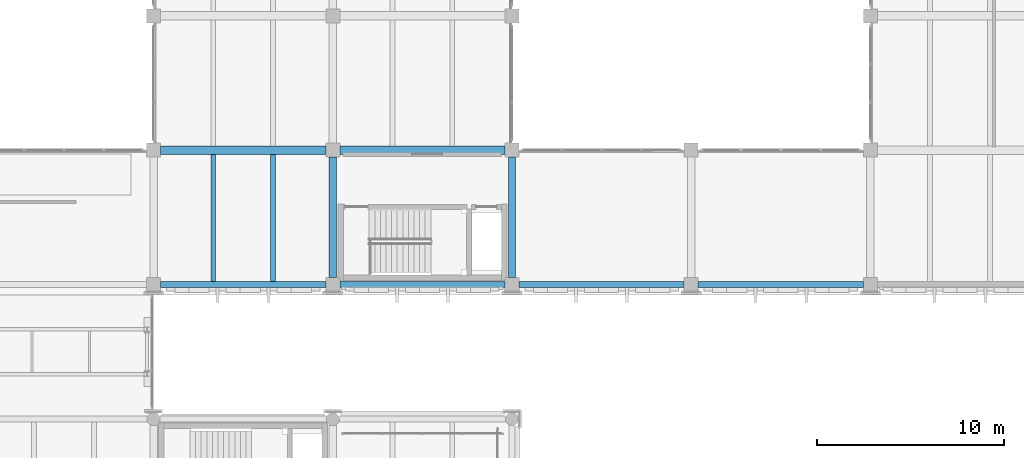
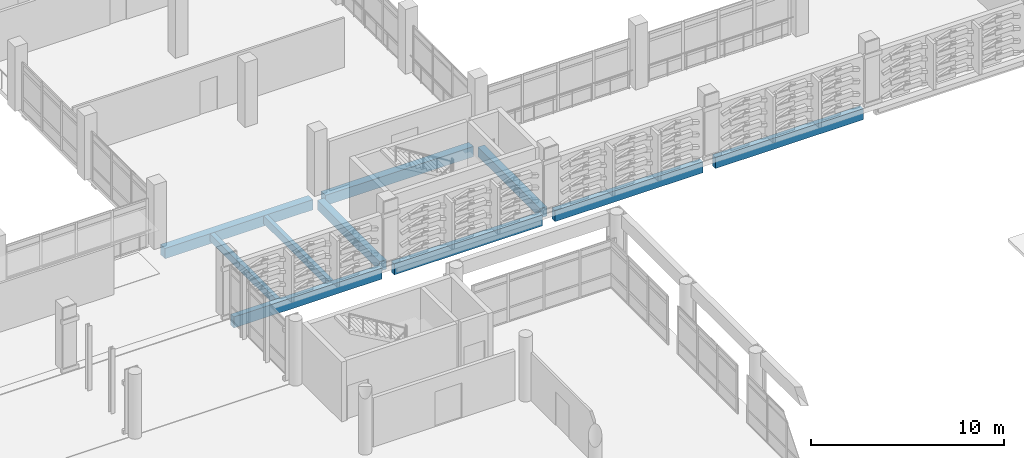
# One storey, part 92 of 180: 10 beams.
"""IFC4 building model written with IfcOpenShell, lengths in metres."""

from ifc_helpers import new_model, si_unit, direction, frame, origin, origin_2d, place, context, subcontext, project, spatial, rectangle, extrude, material, material_profile, profile_set, type_object, element, save


model = new_model("IFC4")

# Units and contexts
model_context = context("Model", 3, precision=1e-05, world=origin(), true_north=direction((0.0, 1.0)))
body_context = subcontext(model_context, "Body", "Model", "MODEL_VIEW")
ifc_project = project(units=[si_unit("LENGTHUNIT", "METRE"), si_unit("AREAUNIT", "SQUARE_METRE"), si_unit("VOLUMEUNIT", "CUBIC_METRE"), si_unit("PLANEANGLEUNIT", "RADIAN"), si_unit("MASSUNIT", "GRAM", prefix="KILO")], contexts=[model_context])

# Site, building, storey
site_placement = place(None, origin())
site = spatial("IfcSite", under=ifc_project, at=site_placement, CompositionType="ELEMENT")
building_placement = place(site_placement, origin())
building = spatial("IfcBuilding", under=site, at=building_placement, Name="Asteropetra Specialist Clinic", CompositionType="ELEMENT")
storey_placement = place(building_placement, frame((0.0, 0.0, 4.419921875)))
storey = spatial("IfcBuildingStorey", under=building, at=storey_placement, Name="L01", CompositionType="ELEMENT", Elevation=4.419921875)

# Beams
ifc_material_1 = material(Name="Concrete C35/45", Category="concrete")
ifc_material_profile_1 = material_profile(ifc_material_1, rectangle(XDim=0.39990234375, YDim=0.60009765625, at=origin_2d()), Name="RCB 400x600")
ifc_profile_set_1 = profile_set([ifc_material_profile_1], Name="Concrete C35/45")
beam_type_1 = type_object("IfcBeamType", Name="BM-RC400x600", PredefinedType="BEAM", material=ifc_profile_set_1)
for number, where, z_axis, x_axis, name in (
    (1, (38.39990234375, 69.97509765625, -0.579833984375), (0.0, 1.0, 0.0), (-1.0, 0.0, 0.0), "Beam BBM08-0674"),
    (2, (48.0, 69.97509765625, -0.579833984375), (0.0, 1.0, 0.0), (-1.0, 0.0, 0.0), "Beam BBM08-0675"),
):
    element("IfcBeam", number, at=place(storey_placement, frame(where, z_axis=z_axis, x_axis=x_axis)), inside=storey, type_object=beam_type_1, Name=name, PredefinedType="BEAM", context=body_context, shape_type="SweptSolid", body=[
        extrude(rectangle(XDim=0.39990234375, YDim=0.60009765625, at=origin_2d()), origin(), (0.0, 0.0, 1.0), 6.449951171875),
    ])
ifc_material_2 = material(Name="Concrete C35/45", Category="concrete")
ifc_material_profile_2 = material_profile(ifc_material_2, rectangle(XDim=0.449951171875, YDim=0.64990234375, at=origin_2d()), Name="RCB 450x650")
ifc_profile_set_2 = profile_set([ifc_material_profile_2], Name="Concrete C35/45")
beam_type_2 = type_object("IfcBeamType", Name="BM-RC450x650", PredefinedType="BEAM", material=ifc_profile_set_2)
beam_1_placement = place(storey_placement, frame((29.175048828125, 76.800048828125, -0.60498046875), z_axis=(1.0, 0.0, 0.0), x_axis=(0.0, 1.0, 0.0)))
element("IfcBeam", 3, at=beam_1_placement, inside=storey, type_object=beam_type_2, Name="Beam BBM06-0635", PredefinedType="BEAM", context=body_context, shape_type="SweptSolid", body=[
    extrude(rectangle(XDim=0.449951171875, YDim=0.64990234375, at=origin_2d()), origin(), (0.0, 0.0, 1.0), 8.849853515625),
])
beam_2_placement = place(storey_placement, frame((38.77490234375, 76.800048828125, -0.60498046875), z_axis=(1.0, 0.0, 0.0), x_axis=(0.0, 1.0, 0.0)))
element("IfcBeam", 4, at=beam_2_placement, inside=storey, type_object=beam_type_2, Name="Beam BBM06-0636", PredefinedType="BEAM", context=body_context, shape_type="SweptSolid", body=[
    extrude(rectangle(XDim=0.449951171875, YDim=0.64990234375, at=origin_2d()), origin(), (0.0, 0.0, 1.0), 8.85009765625),
])
ifc_material_3 = material(Name="Concrete C35/45", Category="concrete")
ifc_material_profile_3 = material_profile(ifc_material_3, rectangle(XDim=0.260009765625, YDim=0.47998046875, at=origin_2d()), Name="RCJ 260x480")
ifc_profile_set_3 = profile_set([ifc_material_profile_3], Name="Concrete C35/45")
beam_type_3 = type_object("IfcBeamType", Name="JST-RC260x480", PredefinedType="JOIST", material=ifc_profile_set_3)
for number, where, z_axis, x_axis, name in (
    (5, (32.0, 69.760009765625, -0.52001953125), (0.0, 1.0, 0.0), (-1.0, 0.0, 0.0), "Joist JJST02-0681"),
    (6, (35.199951171875, 69.760009765625, -0.52001953125), (0.0, 1.0, 0.0), (-1.0, 0.0, 0.0), "Joist JJST02-0682"),
):
    element("IfcBeam", number, at=place(storey_placement, frame(where, z_axis=z_axis, x_axis=x_axis)), inside=storey, type_object=beam_type_3, Name=name, PredefinedType="JOIST", context=body_context, shape_type="SweptSolid", body=[
        extrude(rectangle(XDim=0.260009765625, YDim=0.47998046875, at=origin_2d()), origin(), (0.0, 0.0, 1.0), 6.81494140625),
    ])
ifc_material_4 = material(Name="Concrete C35/45", Category="concrete")
ifc_material_profile_4 = material_profile(ifc_material_4, rectangle(XDim=0.320068359375, YDim=0.699951171875, at=origin_2d()), Name="RCS 320x700")
ifc_profile_set_4 = profile_set([ifc_material_profile_4], Name="Concrete C35/45")
beam_type_4 = type_object("IfcBeamType", Name="SPN-RC320x700", PredefinedType="SPANDREL", material=ifc_profile_set_4)
beam_3_placement = place(storey_placement, frame((29.175048828125, 69.60009765625, -0.6298828125), z_axis=(1.0, 0.0, 0.0), x_axis=(0.0, 1.0, 0.0)))
element("IfcBeam", 7, at=beam_3_placement, inside=storey, type_object=beam_type_4, Name="Beam BSPN02-0629", PredefinedType="SPANDREL", context=body_context, shape_type="SweptSolid", body=[
    extrude(rectangle(XDim=0.320068359375, YDim=0.699951171875, at=origin_2d()), origin(), (0.0, 0.0, 1.0), 8.849853515625),
])
for number, where, z_axis, x_axis, name in (
    (8, (38.77490234375, 69.60009765625, -0.6298828125), (1.0, 0.0, 0.0), (0.0, 1.0, 0.0), "Beam BSPN02-0630"),
    (9, (48.375, 69.60009765625, -0.6298828125), (1.0, 0.0, 0.0), (0.0, 1.0, 0.0), "Beam BSPN02-0631"),
):
    element("IfcBeam", number, at=place(storey_placement, frame(where, z_axis=z_axis, x_axis=x_axis)), inside=storey, type_object=beam_type_4, Name=name, PredefinedType="SPANDREL", context=body_context, shape_type="SweptSolid", body=[
        extrude(rectangle(XDim=0.320068359375, YDim=0.699951171875, at=origin_2d()), origin(), (0.0, 0.0, 1.0), 8.85009765625),
    ])
beam_4_placement = place(storey_placement, frame((57.97509765625, 69.60009765625, -0.6298828125), z_axis=(1.0, 0.0, 0.0), x_axis=(0.0, 1.0, 0.0)))
element("IfcBeam", 10, at=beam_4_placement, inside=storey, type_object=beam_type_4, Name="Beam BSPN02-0632", PredefinedType="SPANDREL", context=body_context, shape_type="SweptSolid", body=[
    extrude(rectangle(XDim=0.320068359375, YDim=0.699951171875, at=origin_2d()), origin(), (0.0, 0.0, 1.0), 8.849853515625),
])

save(model, "model.ifc")
